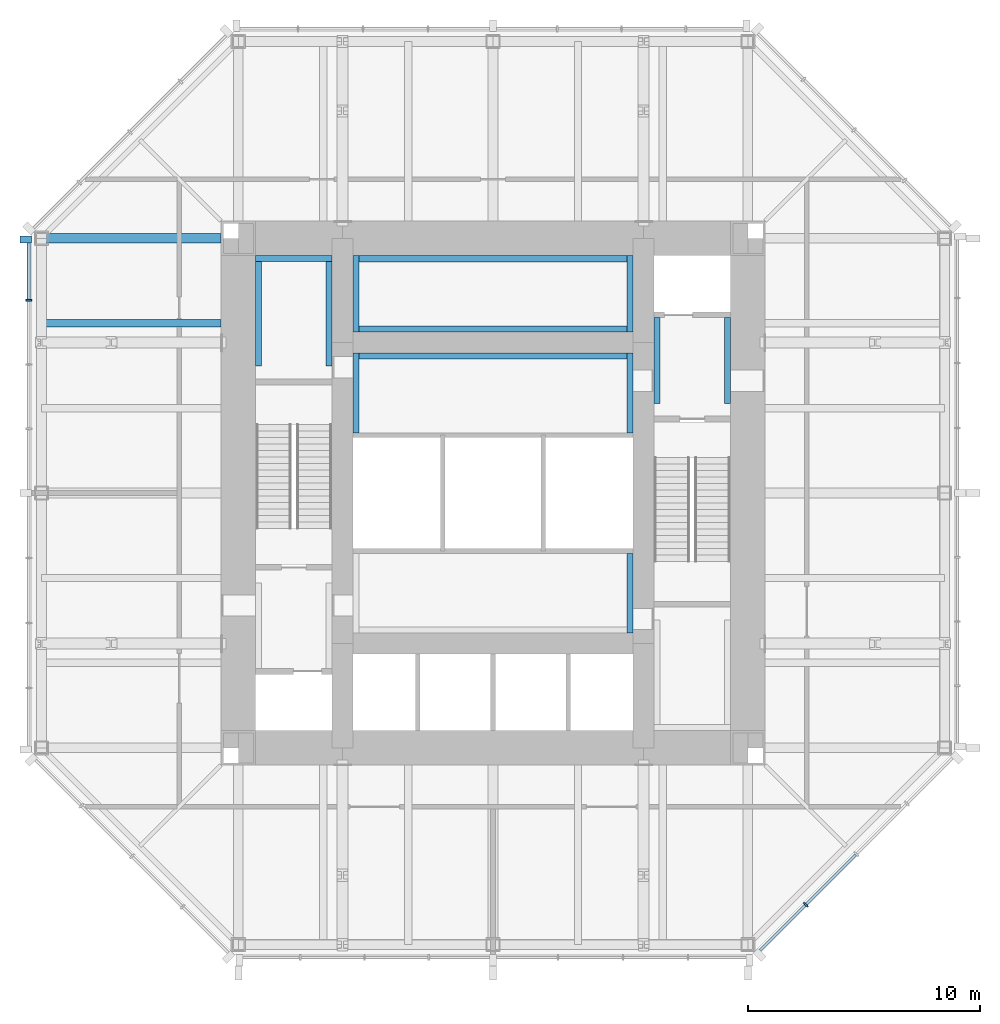
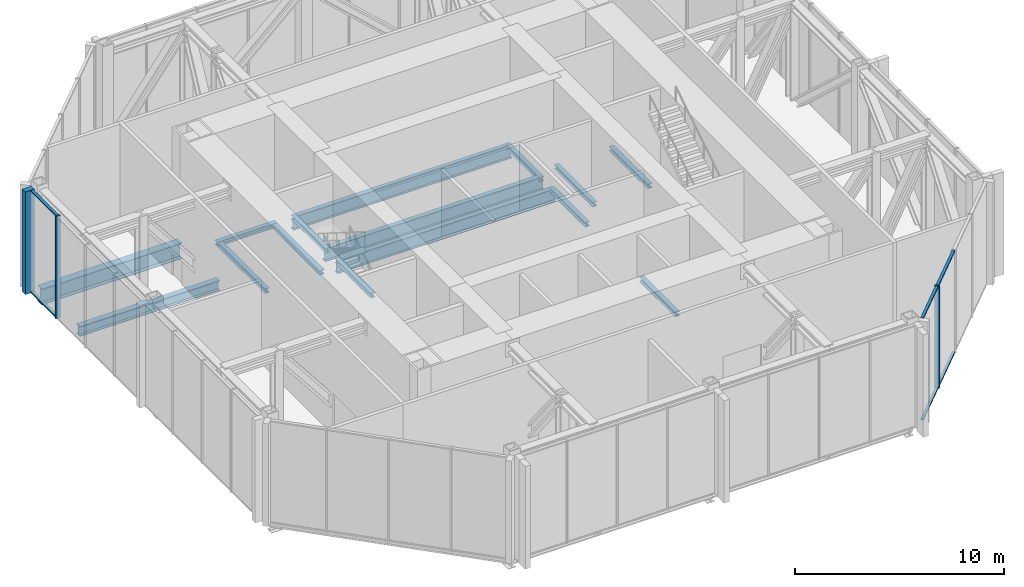
# One storey, part 4 of 11: 15 beams, 9 members, 2 elements without a shape of their own.
"""IFC4 building model written with IfcOpenShell, lengths in metres."""

from ifc_helpers import new_model, si_unit, direction, frame, origin, origin_2d, place, context, subcontext, project, spatial, rectangle, i_section, extrude, material, material_profile, profile_set, type_object, element, aggregate, save


model = new_model("IFC4")

# Units and contexts
model_context = context("Model", 3, precision=1e-05, world=origin(), true_north=direction((0.0, 1.0)))
body_context = subcontext(model_context, "Body", "Model", "MODEL_VIEW")
ifc_project = project(units=[si_unit("LENGTHUNIT", "METRE"), si_unit("AREAUNIT", "SQUARE_METRE"), si_unit("VOLUMEUNIT", "CUBIC_METRE"), si_unit("PLANEANGLEUNIT", "RADIAN"), si_unit("MASSUNIT", "GRAM", prefix="KILO")], contexts=[model_context])

# Site, building, storey
site_placement = place(None, origin())
site = spatial("IfcSite", under=ifc_project, at=site_placement, CompositionType="ELEMENT")
building_placement = place(site_placement, origin())
building = spatial("IfcBuilding", under=site, at=building_placement, Name="Trevanion Tower", CompositionType="ELEMENT")
storey_placement = place(building_placement, frame((0.0, 0.0, 257.199951171875)))
storey = spatial("IfcBuildingStorey", under=building, at=storey_placement, Name="L63", CompositionType="ELEMENT", Elevation=257.199951171875)

# Beam
ifc_material_1 = material(Name="Steel ASTM A992 Grade 50", Category="steel")
ifc_material_profile_1 = material_profile(ifc_material_1, i_section(OverallWidth=0.320068359375, OverallDepth=0.584228515625, WebThickness=0.023193359375, FlangeThickness=0.04150390625, at=origin_2d()), Name="W21X201")
ifc_profile_set_1 = profile_set([ifc_material_profile_1], Name="Steel ASTM A992 Grade 50")
beam_type_1 = type_object("IfcBeamType", Name="B13 W21X201", PredefinedType="BEAM", material=ifc_profile_set_1)
beam_1_placement = place(storey_placement, frame((-11.75, 7.333251953125, -0.48193359375), z_axis=(-1.0, 0.0, 0.0), x_axis=(0.0, -1.0, 0.0)))
element("IfcBeam", 1, at=beam_1_placement, inside=storey, type_object=beam_type_1, Name="B13 L63", PredefinedType="BEAM", context=body_context, shape_type="SweptSolid", body=[
    extrude(i_section(OverallWidth=0.320068359375, OverallDepth=0.584228515625, WebThickness=0.023193359375, FlangeThickness=0.04150390625, at=origin_2d()), origin(), (0.0, 0.0, 1.0), 7.75),
])

# Curtain wall, member
ifc_material_2 = material(Name="Aluminium louvres", Category="aluminium")
curtain_wall_type = type_object("IfcCurtainWallType", Name="CWL curtain wall", PredefinedType="USERDEFINED", material=ifc_material_2)
curtain_wall_1_placement = place(storey_placement, origin())
curtain_wall_1 = element("IfcCurtainWall", 2, at=curtain_wall_1_placement, inside=storey, type_object=curtain_wall_type, Name="CWL L63 4", ObjectType="LOUVRE SCREEN", PredefinedType="USERDEFINED")
ifc_material_3 = material(Name="Aluminium extrusion, anodised bronze", Category="aluminium")
ifc_material_profile_2 = material_profile(ifc_material_3, rectangle(XDim=0.074951171875, YDim=0.25, at=origin_2d()), Name="CWL mullion")
ifc_profile_set_2 = profile_set([ifc_material_profile_2], Name="Aluminium extrusion, anodised bronze")
member_type_1 = type_object("IfcMemberType", Name="CWL mullion", PredefinedType="MULLION", material=ifc_profile_set_2)
member_1_placement = place(storey_placement, frame((-20.050048828125, 8.323486328125, -0.18994140625), z_axis=(0.0, 0.0, 1.0), x_axis=(0.0, -1.0, 0.0)))
member_1 = element("IfcMember", 3, at=member_1_placement, type_object=member_type_1, Name="CWL mullion 2", PredefinedType="MULLION", context=body_context, shape_type="SweptSolid", body=[
    extrude(rectangle(XDim=0.074951171875, YDim=0.25, at=origin_2d()), origin(), (0.0, 0.0, 1.0), 6.0),
])

curtain_wall_2_placement = place(storey_placement, origin())
curtain_wall_2 = element("IfcCurtainWall", 4, at=curtain_wall_2_placement, inside=storey, type_object=curtain_wall_type, Name="CWL L63 7", ObjectType="LOUVRE SCREEN", PredefinedType="USERDEFINED")
member_2_placement = place(storey_placement, frame((13.502197265625, -17.775390625, -0.18994140625), z_axis=(0.0, 0.0, 1.0), x_axis=(0.707106781187, 0.707106781187, 0.0)))
member_2 = element("IfcMember", 5, at=member_2_placement, type_object=member_type_1, Name="CWL mullion 2", PredefinedType="MULLION", context=body_context, shape_type="SweptSolid", body=[
    extrude(rectangle(XDim=0.074951171875, YDim=0.25, at=origin_2d()), origin(), (0.0, 0.0, 1.0), 6.0),
])

# Member
ifc_material_4 = material(Name="Aluminium extrusion, anodised bronze", Category="aluminium")
ifc_material_profile_3 = material_profile(ifc_material_4, rectangle(XDim=0.300048828125, YDim=0.5, at=origin_2d()), Name="CWL pier mullion")
ifc_profile_set_3 = profile_set([ifc_material_profile_3], Name="Aluminium extrusion, anodised bronze")
member_type_2 = type_object("IfcMemberType", Name="CWL pier mullion", PredefinedType="MULLION", material=ifc_profile_set_3)
member_3_placement = place(storey_placement, frame((-20.175048828125, 10.94775390625, -0.18994140625), z_axis=(0.0, 0.0, 1.0), x_axis=(0.0, -1.0, 0.0)))
member_3 = element("IfcMember", 6, at=member_3_placement, type_object=member_type_2, Name="CWL pier mullion 1", PredefinedType="MULLION", context=body_context, shape_type="SweptSolid", body=[
    extrude(rectangle(XDim=0.300048828125, YDim=0.5, at=origin_2d()), origin(), (0.0, 0.0, 1.0), 6.0),
])

ifc_material_5 = material(Name="Aluminium extrusion, anodised bronze", Category="aluminium")
ifc_material_profile_4 = material_profile(ifc_material_5, rectangle(XDim=0.14990234375, YDim=0.074951171875, at=origin_2d()), Name="CWL transom")
ifc_profile_set_4 = profile_set([ifc_material_profile_4], Name="Aluminium extrusion, anodised bronze")
member_type_3 = type_object("IfcMemberType", Name="CWL transom", PredefinedType="USERDEFINED", material=ifc_profile_set_4)
member_4_placement = place(storey_placement, frame((-20.050048828125, 10.7978515625, -0.15234375), z_axis=(0.0, -1.0, 0.0), x_axis=(1.0, 0.0, 0.0)))
member_4 = element("IfcMember", 7, at=member_4_placement, type_object=member_type_3, Name="CWL transom 1.1", ObjectType="TRANSOM", PredefinedType="USERDEFINED", context=body_context, shape_type="SweptSolid", body=[
    extrude(rectangle(XDim=0.14990234375, YDim=0.074951171875, at=origin_2d()), origin(), (0.0, 0.0, 1.0), 2.43701171875),
])

member_5_placement = place(storey_placement, frame((-20.050048828125, 10.7978515625, 5.7724609375), z_axis=(0.0, -1.0, 0.0), x_axis=(1.0, 0.0, 0.0)))
member_5 = element("IfcMember", 8, at=member_5_placement, type_object=member_type_3, Name="CWL transom 1.2", ObjectType="TRANSOM", PredefinedType="USERDEFINED", context=body_context, shape_type="SweptSolid", body=[
    extrude(rectangle(XDim=0.14990234375, YDim=0.074951171875, at=origin_2d()), origin(), (0.0, 0.0, 1.0), 2.43701171875),
])

aggregate(curtain_wall_1, [member_3, member_1, member_4, member_5])

member_6_placement = place(storey_placement, frame((11.531982421875, -19.745849609375, -0.15234375), z_axis=(0.707106781187, 0.707106781187, 0.0), x_axis=(-0.707106781187, 0.707106781187, 0.0)))
member_6 = element("IfcMember", 9, at=member_6_placement, type_object=member_type_3, Name="CWL transom 1.1", ObjectType="TRANSOM", PredefinedType="USERDEFINED", context=body_context, shape_type="SweptSolid", body=[
    extrude(rectangle(XDim=0.14990234375, YDim=0.074951171875, at=origin_2d()), origin(), (0.0, 0.0, 1.0), 2.7490234375),
])

member_7_placement = place(storey_placement, frame((11.531982421875, -19.745849609375, 5.7724609375), z_axis=(0.707106781187, 0.707106781187, 0.0), x_axis=(-0.707106781187, 0.707106781187, 0.0)))
member_7 = element("IfcMember", 10, at=member_7_placement, type_object=member_type_3, Name="CWL transom 1.2", ObjectType="TRANSOM", PredefinedType="USERDEFINED", context=body_context, shape_type="SweptSolid", body=[
    extrude(rectangle(XDim=0.14990234375, YDim=0.074951171875, at=origin_2d()), origin(), (0.0, 0.0, 1.0), 2.7490234375),
])

member_8_placement = place(storey_placement, frame((13.52880859375, -17.7490234375, -0.15234375), z_axis=(0.707106781187, 0.707106781187, 0.0), x_axis=(-0.707106781187, 0.707106781187, 0.0)))
member_8 = element("IfcMember", 11, at=member_8_placement, type_object=member_type_3, Name="CWL transom 2.1", ObjectType="TRANSOM", PredefinedType="USERDEFINED", context=body_context, shape_type="SweptSolid", body=[
    extrude(rectangle(XDim=0.14990234375, YDim=0.074951171875, at=origin_2d()), origin(), (0.0, 0.0, 1.0), 3.01171875),
])

member_9_placement = place(storey_placement, frame((13.52880859375, -17.7490234375, 5.7724609375), z_axis=(0.707106781187, 0.707106781187, 0.0), x_axis=(-0.707106781187, 0.707106781187, 0.0)))
member_9 = element("IfcMember", 12, at=member_9_placement, type_object=member_type_3, Name="CWL transom 2.2", ObjectType="TRANSOM", PredefinedType="USERDEFINED", context=body_context, shape_type="SweptSolid", body=[
    extrude(rectangle(XDim=0.14990234375, YDim=0.074951171875, at=origin_2d()), origin(), (0.0, 0.0, 1.0), 3.01171875),
])

aggregate(curtain_wall_2, [member_2, member_6, member_7, member_8, member_9])

# Beams
ifc_material_6 = material(Name="Steel ASTM A992 Grade 50", Category="steel")
ifc_material_profile_5 = material_profile(ifc_material_6, i_section(OverallWidth=0.419189453125, OverallDepth=0.927001953125, WebThickness=0.019287109375, FlangeThickness=0.031982421875, at=origin_2d()), Name="W36X231")
ifc_profile_set_5 = profile_set([ifc_material_profile_5], Name="Steel ASTM A992 Grade 50")
beam_type_2 = type_object("IfcBeamType", Name="G7 W36X231", PredefinedType="BEAM", material=ifc_profile_set_5)
beam_2_placement = place(storey_placement, frame((-11.75, 11.0, -0.653564453125), z_axis=(-1.0, 0.0, 0.0), x_axis=(0.0, -1.0, 0.0)))
element("IfcBeam", 13, at=beam_2_placement, inside=storey, type_object=beam_type_2, Name="G7 L63", PredefinedType="BEAM", context=body_context, shape_type="SweptSolid", body=[
    extrude(i_section(OverallWidth=0.419189453125, OverallDepth=0.927001953125, WebThickness=0.019287109375, FlangeThickness=0.031982421875, at=origin_2d()), origin(), (0.0, 0.0, 1.0), 7.75),
])
ifc_material_7 = material(Name="Steel ASTM A992 Grade 50", Category="steel")
ifc_material_profile_6 = material_profile(ifc_material_7, i_section(OverallWidth=0.256591796875, OverallDepth=0.26416015625, WebThickness=0.011962890625, FlangeThickness=0.01953125, at=origin_2d()), Name="W10X68")
ifc_profile_set_6 = profile_set([ifc_material_profile_6], Name="Steel ASTM A992 Grade 50")
beam_type_3 = type_object("IfcBeamType", Name="LB1 W10X68", PredefinedType="BEAM", material=ifc_profile_set_6)
for number, where, z_axis, x_axis, name in (
    (14, (-5.921630859375, 2.60009765625, -0.33203125), (0.0, 1.0, 0.0), (-1.0, 0.0, 0.0), "LB1 L63"),
    (15, (5.921630859375, 2.60009765625, -0.33203125), (0.0, 1.0, 0.0), (-1.0, 0.0, 0.0), "LB1 L63"),
    (16, (5.921630859375, -6.050048828125, -0.33203125), (0.0, 1.0, 0.0), (-1.0, 0.0, 0.0), "LB1 L63"),
):
    element("IfcBeam", number, at=place(storey_placement, frame(where, z_axis=z_axis, x_axis=x_axis)), inside=storey, type_object=beam_type_3, Name=name, PredefinedType="BEAM", context=body_context, shape_type="SweptSolid", body=[
        extrude(i_section(OverallWidth=0.256591796875, OverallDepth=0.26416015625, WebThickness=0.011962890625, FlangeThickness=0.01953125, at=origin_2d()), origin(), (0.0, 0.0, 1.0), 3.449951171875),
    ])
for number, where, z_axis, x_axis, name in (
    (17, (7.078369140625, 3.875, -0.33203125), (0.0, 1.0, 0.0), (-1.0, 0.0, 0.0), "LB1 L63"),
    (18, (10.12158203125, 3.875, -0.33203125), (0.0, 1.0, 0.0), (-1.0, 0.0, 0.0), "LB1 L63"),
):
    element("IfcBeam", number, at=place(storey_placement, frame(where, z_axis=z_axis, x_axis=x_axis)), inside=storey, type_object=beam_type_3, Name=name, PredefinedType="BEAM", context=body_context, shape_type="SweptSolid", body=[
        extrude(i_section(OverallWidth=0.256591796875, OverallDepth=0.26416015625, WebThickness=0.011962890625, FlangeThickness=0.01953125, at=origin_2d()), origin(), (0.0, 0.0, 1.0), 3.699951171875),
    ])
for number, where, z_axis, x_axis, name in (
    (19, (-10.12158203125, 5.47509765625, -0.33203125), (0.0, 1.0, 0.0), (-1.0, 0.0, 0.0), "LB1 L63"),
    (20, (-7.078369140625, 5.47509765625, -0.33203125), (0.0, 1.0, 0.0), (-1.0, 0.0, 0.0), "LB1 L63"),
):
    element("IfcBeam", number, at=place(storey_placement, frame(where, z_axis=z_axis, x_axis=x_axis)), inside=storey, type_object=beam_type_3, Name=name, PredefinedType="BEAM", context=body_context, shape_type="SweptSolid", body=[
        extrude(i_section(OverallWidth=0.256591796875, OverallDepth=0.26416015625, WebThickness=0.011962890625, FlangeThickness=0.01953125, at=origin_2d()), origin(), (0.0, 0.0, 1.0), 4.77490234375),
    ])
for number, where, z_axis, x_axis, name in (
    (21, (-10.25, 10.12158203125, -0.33203125), (1.0, 0.0, 0.0), (0.0, 1.0, 0.0), "LB1 L63"),
    (22, (-5.921630859375, 6.949951171875, -0.33203125), (0.0, 1.0, 0.0), (-1.0, 0.0, 0.0), "LB1 L63"),
    (23, (5.921630859375, 6.949951171875, -0.33203125), (0.0, 1.0, 0.0), (-1.0, 0.0, 0.0), "LB1 L63"),
):
    element("IfcBeam", number, at=place(storey_placement, frame(where, z_axis=z_axis, x_axis=x_axis)), inside=storey, type_object=beam_type_3, Name=name, PredefinedType="BEAM", context=body_context, shape_type="SweptSolid", body=[
        extrude(i_section(OverallWidth=0.256591796875, OverallDepth=0.26416015625, WebThickness=0.011962890625, FlangeThickness=0.01953125, at=origin_2d()), origin(), (0.0, 0.0, 1.0), 3.300048828125),
    ])
ifc_material_8 = material(Name="Steel ASTM A992 Grade 50", Category="steel")
ifc_material_profile_7 = material_profile(ifc_material_8, i_section(OverallWidth=0.2666015625, OverallDepth=0.76953125, WebThickness=0.015625, FlangeThickness=0.025390625, at=origin_2d()), Name="W30X132")
ifc_profile_set_7 = profile_set([ifc_material_profile_7], Name="Steel ASTM A992 Grade 50")
beam_type_4 = type_object("IfcBeamType", Name="LB3 W30X132", PredefinedType="BEAM", material=ifc_profile_set_7)
for number, where, z_axis, x_axis, name in (
    (24, (-6.050048828125, 5.91650390625, -0.584716796875), (1.0, 0.0, 0.0), (0.0, 1.0, 0.0), "LB3 L63"),
    (25, (-6.050048828125, 7.08349609375, -0.584716796875), (1.0, 0.0, 0.0), (0.0, 1.0, 0.0), "LB3 L63"),
    (26, (-6.050048828125, 10.11669921875, -0.584716796875), (1.0, 0.0, 0.0), (0.0, 1.0, 0.0), "LB3 L63"),
):
    element("IfcBeam", number, at=place(storey_placement, frame(where, z_axis=z_axis, x_axis=x_axis)), inside=storey, type_object=beam_type_4, Name=name, PredefinedType="BEAM", context=body_context, shape_type="SweptSolid", body=[
        extrude(i_section(OverallWidth=0.2666015625, OverallDepth=0.76953125, WebThickness=0.015625, FlangeThickness=0.025390625, at=origin_2d()), origin(), (0.0, 0.0, 1.0), 12.10009765625),
    ])

save(model, "model.ifc")
